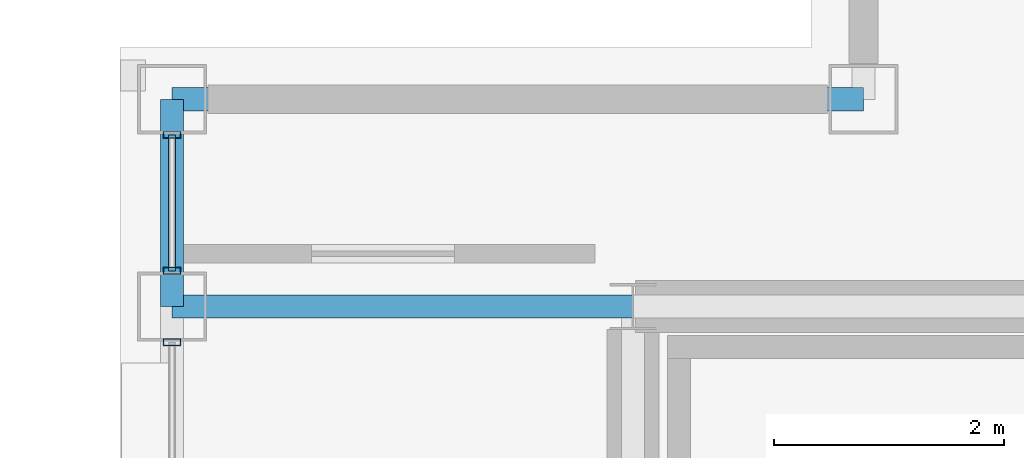
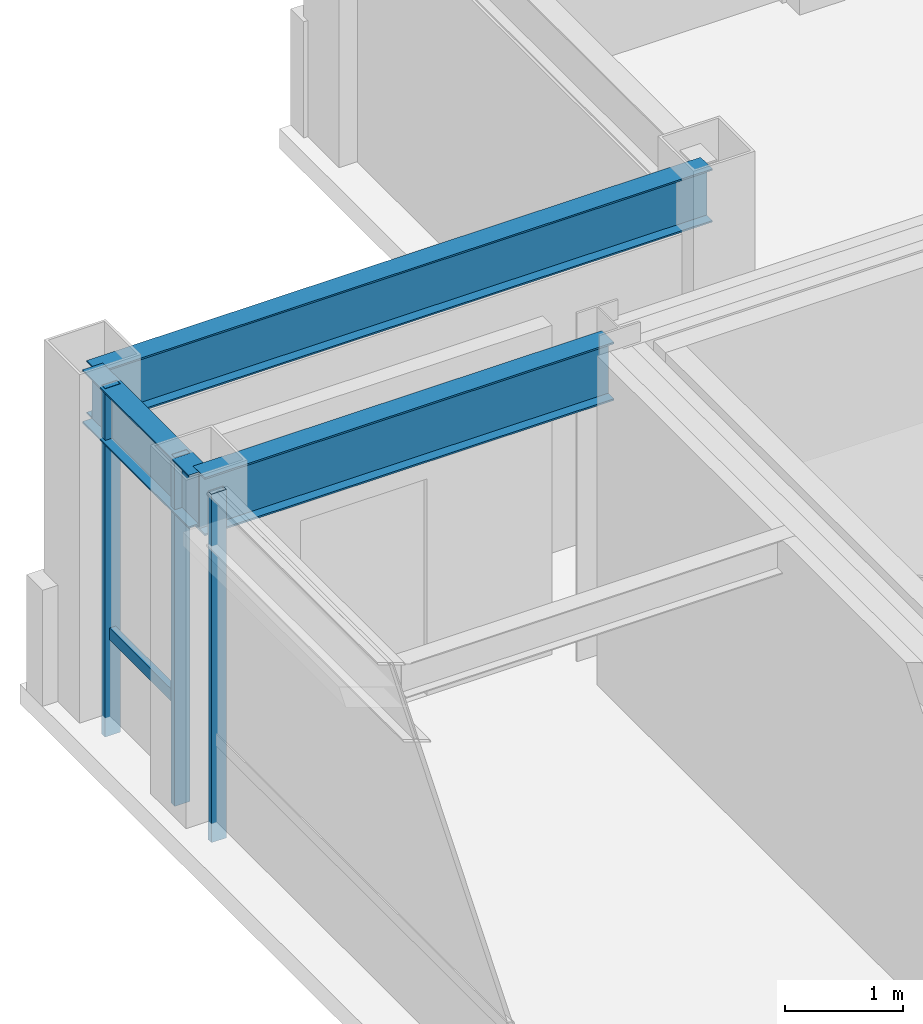
# One storey, part 11 of 24: 4 members, 3 beams, 2 elements without a shape of their own.
"""IFC4 building model written with IfcOpenShell, lengths in metres."""

import ifcopenshell
import ifcopenshell.guid

model = None  # the IFC model being written
_history = None  # IfcOwnerHistory: only IFC2X3 demands one
_inside = {}  # id of a spatial element -> (the spatial element, [elements in it])
_under = {}  # id of a project, library or spatial element -> (it, [spatial elements below it])
_declared = {}  # id of a project -> (the project, [libraries it declares])
_typed = {}  # id of a type object -> (the type object, [elements of that type])
_made_of = {}  # id of a material, layer set ... -> (it, [elements and type objects made of it])


def new_model(schema):
    """Start an empty IFC model of exactly this schema.

    Asked for "IFC4X3", IfcOpenShell would pick the latest addendum, in which some entities
    have other attributes; the version numbers below select the first issue.
    IFC2X3 requires an IfcOwnerHistory on every rooted entity: one is made here for all.
    """
    global model, _history
    if schema == "IFC4X3":
        model = ifcopenshell.file(schema_version=(4, 3, 0, 0))
    else:
        model = ifcopenshell.file(schema=schema)
    _inside.clear()
    _under.clear()
    _declared.clear()
    _typed.clear()
    _made_of.clear()
    _history = None
    if model.schema == "IFC2X3":
        org = make("IfcOrganization", Name="unknown")
        user = make(
            "IfcPersonAndOrganization",
            ThePerson=make("IfcPerson", FamilyName="unknown"),
            TheOrganization=org,
        )
        app = make(
            "IfcApplication",
            ApplicationDeveloper=org,
            Version="unknown",
            ApplicationFullName="unknown",
            ApplicationIdentifier="unknown",
        )
        _history = make(
            "IfcOwnerHistory",
            OwningUser=user,
            OwningApplication=app,
            ChangeAction="ADDED",
            CreationDate=0,
        )
    return model


def make(cls, **values):
    """One entity of the class cls with the attributes given. An attribute that is None is left unset."""
    return model.create_entity(
        cls, **{name: value for name, value in values.items() if value is not None}
    )


def rooted(cls, **values):
    """An entity with a GlobalId (a new one), such as an element, a storey or a relation."""
    return make(cls, GlobalId=ifcopenshell.guid.new(), OwnerHistory=_history, **values)


def si_unit(unit_type, name, prefix=None):
    """IfcSIUnit, for example si_unit("LENGTHUNIT", "METRE", prefix="MILLI")."""
    return make("IfcSIUnit", UnitType=unit_type, Prefix=prefix, Name=name)


def assignment(units):
    """IfcUnitAssignment: the units of a project."""
    return None if units is None else make("IfcUnitAssignment", Units=units)


def point(xyz):
    """IfcCartesianPoint."""
    return None if xyz is None else make("IfcCartesianPoint", Coordinates=xyz)


def direction(xyz):
    """IfcDirection."""
    return None if xyz is None else make("IfcDirection", DirectionRatios=xyz)


def frame(location, z_axis=None, x_axis=None):
    """IfcAxis2Placement3D, a coordinate frame: its origin and axes. An axis left out is left unset."""
    return make(
        "IfcAxis2Placement3D",
        Location=point(location),
        Axis=direction(z_axis),
        RefDirection=direction(x_axis),
    )


def frame_2d(location, x_axis=None):
    """IfcAxis2Placement2D, a coordinate frame in the plane: its origin and x axis."""
    return make(
        "IfcAxis2Placement2D", Location=point(location), RefDirection=direction(x_axis)
    )


def origin():
    """The frame at (0, 0, 0) with its axes left unset."""
    return frame((0.0, 0.0, 0.0))


def origin_2d():
    """The frame at (0, 0) in the plane with its x axis left unset."""
    return frame_2d((0.0, 0.0))


def place(relative_to, where):
    """IfcLocalPlacement: puts the frame where relative to a parent placement (None: the world)."""
    return make(
        "IfcLocalPlacement", PlacementRelTo=relative_to, RelativePlacement=where
    )


def context(
    kind, dimensions, precision=None, world=None, true_north=None, identifier=None
):
    """IfcGeometricRepresentationContext, for example the 3D "Model" context."""
    return make(
        "IfcGeometricRepresentationContext",
        ContextIdentifier=identifier,
        ContextType=kind,
        CoordinateSpaceDimension=dimensions,
        Precision=precision,
        WorldCoordinateSystem=world,
        TrueNorth=true_north,
    )


def subcontext(parent, identifier, kind, view, scale=None):
    """IfcGeometricRepresentationSubContext, for example "Body" below "Model"."""
    return make(
        "IfcGeometricRepresentationSubContext",
        ContextIdentifier=identifier,
        ContextType=kind,
        ParentContext=parent,
        TargetScale=scale,
        TargetView=view,
    )


def project(units=None, contexts=None):
    """IfcProject with its units and contexts."""
    return rooted(
        "IfcProject",
        Name="project",
        RepresentationContexts=contexts,
        UnitsInContext=assignment(units),
    )


def spatial(cls, under=None, at=None, **own):
    """A site, building, storey or space (cls), placed at a placement, below another one or the project."""
    s = rooted(cls, ObjectPlacement=at, **own)
    if under is not None:
        _under.setdefault(under.id(), (under, []))[1].append(s)
    return s


def profile(cls, at=None, kind="AREA", **sizes):
    """A parametric profile (cls). Its sizes go by their IFC names, for example OverallWidth=200.0."""
    return make(cls, ProfileType=kind, Position=at, **sizes)


def hollow_rectangle(**sizes):
    """IfcRectangleHollowProfileDef."""
    return profile("IfcRectangleHollowProfileDef", **sizes)


def i_section(**sizes):
    """IfcIShapeProfileDef."""
    return profile("IfcIShapeProfileDef", **sizes)


def extrude(swept, where, along, depth):
    """IfcExtrudedAreaSolid: the profile swept, set in the frame where, extruded along a direction by depth."""
    return make(
        "IfcExtrudedAreaSolid",
        SweptArea=swept,
        Position=where,
        ExtrudedDirection=direction(along),
        Depth=depth,
    )


def shape(context_of_items, identifier, shape_type, items):
    """IfcShapeRepresentation: the items that make up one representation, for example the "Body"."""
    return make(
        "IfcShapeRepresentation",
        ContextOfItems=context_of_items,
        RepresentationIdentifier=identifier,
        RepresentationType=shape_type,
        Items=items,
    )


def material(Name=None, Category=None):
    """IfcMaterial."""
    return make("IfcMaterial", Name=Name, Category=Category)


def layer(
    of_material, thickness, ventilated=None, Name=None, Category=None, Priority=None
):
    """IfcMaterialLayer: one layer of a wall or slab, of a material (None: an air gap)."""
    return make(
        "IfcMaterialLayer",
        Material=of_material,
        LayerThickness=thickness,
        IsVentilated=ventilated,
        Name=Name,
        Category=Category,
        Priority=Priority,
    )


def layer_set(layers, Name=None):
    """IfcMaterialLayerSet."""
    return make("IfcMaterialLayerSet", MaterialLayers=layers, LayerSetName=Name)


def material_profile(
    of_material, cross_section, Name=None, Category=None, Priority=None
):
    """IfcMaterialProfile: a cross section and its material."""
    return make(
        "IfcMaterialProfile",
        Name=Name,
        Material=of_material,
        Profile=cross_section,
        Priority=Priority,
        Category=Category,
    )


def profile_set(profiles, Name=None, composite=None):
    """IfcMaterialProfileSet."""
    return make(
        "IfcMaterialProfileSet",
        Name=Name,
        MaterialProfiles=profiles,
        CompositeProfile=composite,
    )


def made_of(thing, what):
    """Note that an element or type object is made of a material, layer set ...; save() writes the relation."""
    if what is not None:
        _made_of.setdefault(what.id(), (what, []))[1].append(thing)
    return thing


def type_object(cls, material=None, **own):
    """A type object (cls), such as IfcWallType, which elements share."""
    return made_of(rooted(cls, **own), material)


def element(
    cls,
    number,
    at=None,
    inside=None,
    cuts=None,
    type_object=None,
    material=None,
    context=None,
    identifier="Body",
    shape_type=None,
    held_by="IfcProductDefinitionShape",
    body=None,
    shapes=None,
    **own,
):
    """One element of the class cls, such as IfcWall. Its Tag is "e" and its number.

    at: its placement. inside: the storey or other place that contains it. cuts: it is an
    opening in that element (IfcRelVoidsElement). A single representation is given by context,
    identifier, shape_type and body (its items); several are given by shapes. held_by: the class
    of the entity that holds the representations. save() writes the other relations.
    """
    e = rooted(cls, Tag="e%d" % number, ObjectPlacement=at, **own)
    if body is not None:
        shapes = [shape(context, identifier, shape_type, body)]
    if shapes is not None:
        e.Representation = make(held_by, Representations=shapes)
    if inside is not None:
        _inside.setdefault(inside.id(), (inside, []))[1].append(e)
    if cuts is not None:
        rooted(
            "IfcRelVoidsElement", RelatingBuildingElement=cuts, RelatedOpeningElement=e
        )
    if type_object is not None:
        _typed.setdefault(type_object.id(), (type_object, []))[1].append(e)
    return made_of(e, material)


def aggregate(whole, parts):
    """IfcRelAggregates: a whole, such as a stair, and the parts it consists of."""
    return rooted("IfcRelAggregates", RelatingObject=whole, RelatedObjects=parts)


def save(model, path):
    """Write the relations noted so far, then the file.

    IfcRelAggregates (storeys below a building ...), IfcRelContainedInSpatialStructure (elements
    in a storey), IfcRelDefinesByType, IfcRelAssociatesMaterial and IfcRelDeclares: one each for
    every whole, place, type object, material and project.
    """
    for whole, parts in _under.values():
        aggregate(whole, parts)
    for where, things in _inside.values():
        rooted(
            "IfcRelContainedInSpatialStructure",
            RelatedElements=things,
            RelatingStructure=where,
        )
    for kind, things in _typed.values():
        rooted("IfcRelDefinesByType", RelatedObjects=things, RelatingType=kind)
    for what, things in _made_of.values():
        rooted("IfcRelAssociatesMaterial", RelatedObjects=things, RelatingMaterial=what)
    for by, libraries in _declared.values():
        rooted("IfcRelDeclares", RelatingContext=by, RelatedDefinitions=libraries)
    model.write(path)


model = new_model("IFC4")

# Units and contexts
model_context = context("Model", 3, precision=1e-05, world=origin(), true_north=direction((0.0, 1.0)))
body_context = subcontext(model_context, "Body", "Model", "MODEL_VIEW")
ifc_project = project(units=[si_unit("LENGTHUNIT", "METRE"), si_unit("AREAUNIT", "SQUARE_METRE"), si_unit("VOLUMEUNIT", "CUBIC_METRE"), si_unit("PLANEANGLEUNIT", "RADIAN"), si_unit("MASSUNIT", "GRAM", prefix="KILO")], contexts=[model_context])

# Site, building, storey
site_placement = place(None, origin())
site = spatial("IfcSite", under=ifc_project, at=site_placement, CompositionType="ELEMENT")
building_placement = place(site_placement, origin())
building = spatial("IfcBuilding", under=site, at=building_placement, Name="Brelmoor Portico Tower", CompositionType="ELEMENT")
storey_placement = place(building_placement, frame((0.0, 0.0, 254.39990234375)))
storey = spatial("IfcBuildingStorey", under=building, at=storey_placement, Name="L67", CompositionType="ELEMENT", Elevation=254.39990234375)

# Beams
ifc_material_1 = material(Name="Steel Q355B", Category="steel")
ifc_material_profile_1 = material_profile(ifc_material_1, i_section(OverallWidth=0.199951171875, OverallDepth=0.60009765625, WebThickness=0.010986328125, FlangeThickness=0.01708984375, at=origin_2d()), Name="HN 600x200x11x17")
ifc_profile_set_1 = profile_set([ifc_material_profile_1], Name="Steel Q355B")
beam_type_1 = type_object("IfcBeamType", Name="BM-PG-600", PredefinedType="BEAM", material=ifc_profile_set_1)
beam_1_placement = place(storey_placement, frame((-18.550048828125, 9.75, 3.10009765625), z_axis=(1.0, 0.0, 0.0), x_axis=(0.0, 1.0, 0.0)))
element("IfcBeam", 1, at=beam_1_placement, inside=storey, type_object=beam_type_1, Name="L67 Primary Floor Girder PG-19", PredefinedType="BEAM", context=body_context, shape_type="SweptSolid", body=[
    extrude(i_section(OverallWidth=0.199951171875, OverallDepth=0.60009765625, WebThickness=0.010986328125, FlangeThickness=0.01708984375, at=origin_2d()), origin(), (0.0, 0.0, 1.0), 4.0),
])
ifc_material_profile_2 = material_profile(ifc_material_1, i_section(OverallWidth=0.199951171875, OverallDepth=0.550048828125, WebThickness=0.010009765625, FlangeThickness=0.01611328125, at=origin_2d()), Name="HN 550x200x10x16")
ifc_profile_set_2 = profile_set([ifc_material_profile_2], Name="Steel Q355B")
beam_type_2 = type_object("IfcBeamType", Name="BM-SP-550", PredefinedType="SPANDREL", material=ifc_profile_set_2)
beam_2_placement = place(storey_placement, frame((-18.550048828125, 11.550048828125, 3.125), z_axis=(1.0, 0.0, 0.0), x_axis=(0.0, 1.0, 0.0)))
element("IfcBeam", 2, at=beam_2_placement, inside=storey, type_object=beam_type_2, Name="L67 Perimeter Spandrel Beam SP-06", PredefinedType="SPANDREL", context=body_context, shape_type="SweptSolid", body=[
    extrude(i_section(OverallWidth=0.199951171875, OverallDepth=0.550048828125, WebThickness=0.010009765625, FlangeThickness=0.01611328125, at=origin_2d()), origin(), (0.0, 0.0, 1.0), 6.0),
])
beam_3_placement = place(storey_placement, frame((-18.550048828125, 9.75, 3.125), z_axis=(0.0, 1.0, 0.0), x_axis=(-1.0, 0.0, 0.0)))
element("IfcBeam", 3, at=beam_3_placement, inside=storey, type_object=beam_type_2, Name="L67 Perimeter Spandrel Beam SP-13", PredefinedType="SPANDREL", context=body_context, shape_type="SweptSolid", body=[
    extrude(i_section(OverallWidth=0.199951171875, OverallDepth=0.550048828125, WebThickness=0.010009765625, FlangeThickness=0.01611328125, at=origin_2d()), origin(), (0.0, 0.0, 1.0), 1.800048828125),
])

# Curtain wall, member
ifc_material_2 = material(Name="Anodised Aluminium Alloy 6063-T6", Category="aluminium")
ifc_layer = layer(ifc_material_2, 0.179931640625)
ifc_layer_set = layer_set([ifc_layer], Name="Anodised Aluminium Alloy 6063-T6")
curtain_wall_type = type_object("IfcCurtainWallType", Name="CW-TOWER-Z4", PredefinedType="NOTDEFINED", material=ifc_layer_set)
curtain_wall_1_placement = place(storey_placement, origin())
curtain_wall_1 = element("IfcCurtainWall", 4, at=curtain_wall_1_placement, inside=storey, type_object=curtain_wall_type, Name="L67 Curtain Wall CW-L67-3R-1", PredefinedType="NOTDEFINED")
ifc_material_profile_3 = material_profile(ifc_material_2, hollow_rectangle(XDim=0.06005859375, YDim=0.14990234375, WallThickness=0.00390625, at=origin_2d()), Name="ALU MULLION 60x150")
ifc_profile_set_3 = profile_set([ifc_material_profile_3], Name="Anodised Aluminium Alloy 6063-T6")
member_type_1 = type_object("IfcMemberType", Name="MB-CW-MULL-150", PredefinedType="MULLION", material=ifc_profile_set_3)
member_1_placement = place(storey_placement, frame((-18.550048828125, 9.43994140625, -0.199951171875), z_axis=(0.0, 0.0, 1.0), x_axis=(0.0, 1.0, 0.0)))
member_1 = element("IfcMember", 5, at=member_1_placement, type_object=member_type_1, Name="CW-L67-3R-1 Mullion 01", PredefinedType="MULLION", context=body_context, shape_type="SweptSolid", body=[
    extrude(hollow_rectangle(XDim=0.06005859375, YDim=0.14990234375, WallThickness=0.00390625, at=origin_2d()), origin(), (0.0, 0.0, 1.0), 3.60009765625),
])
aggregate(curtain_wall_1, [member_1])

# Curtain wall, members
curtain_wall_2_placement = place(storey_placement, origin())
curtain_wall_2 = element("IfcCurtainWall", 6, at=curtain_wall_2_placement, inside=storey, type_object=curtain_wall_type, Name="L67 Curtain Wall CW-L67-3R-2", PredefinedType="NOTDEFINED")
member_2_placement = place(storey_placement, frame((-18.550048828125, 10.06005859375, -0.199951171875), z_axis=(0.0, 0.0, 1.0), x_axis=(0.0, 1.0, 0.0)))
member_2 = element("IfcMember", 7, at=member_2_placement, type_object=member_type_1, Name="CW-L67-3R-2 Mullion 00", PredefinedType="MULLION", context=body_context, shape_type="SweptSolid", body=[
    extrude(hollow_rectangle(XDim=0.06005859375, YDim=0.14990234375, WallThickness=0.00390625, at=origin_2d()), origin(), (0.0, 0.0, 1.0), 3.60009765625),
])
member_3_placement = place(storey_placement, frame((-18.550048828125, 11.239990234375, -0.199951171875), z_axis=(0.0, 0.0, 1.0), x_axis=(0.0, 1.0, 0.0)))
member_3 = element("IfcMember", 8, at=member_3_placement, type_object=member_type_1, Name="CW-L67-3R-2 Mullion 01", PredefinedType="MULLION", context=body_context, shape_type="SweptSolid", body=[
    extrude(hollow_rectangle(XDim=0.06005859375, YDim=0.14990234375, WallThickness=0.00390625, at=origin_2d()), origin(), (0.0, 0.0, 1.0), 3.60009765625),
])
ifc_material_profile_4 = material_profile(ifc_material_2, hollow_rectangle(XDim=0.06005859375, YDim=0.125, WallThickness=0.00341796875, at=origin_2d()), Name="ALU TRANSOM 60x125")
ifc_profile_set_4 = profile_set([ifc_material_profile_4], Name="Anodised Aluminium Alloy 6063-T6")
member_type_2 = type_object("IfcMemberType", Name="MB-CW-TRAN-125", PredefinedType="USERDEFINED", material=ifc_profile_set_4)
member_4_placement = place(storey_placement, frame((-18.550048828125, 10.06005859375, 0.85009765625), z_axis=(0.0, 1.0, 0.0), x_axis=(-1.0, 0.0, 0.0)))
member_4 = element("IfcMember", 9, at=member_4_placement, type_object=member_type_2, Name="CW-L67-3R-2 Transom 1-00", ObjectType="TRANSOM", PredefinedType="USERDEFINED", context=body_context, shape_type="SweptSolid", body=[
    extrude(hollow_rectangle(XDim=0.06005859375, YDim=0.125, WallThickness=0.00341796875, at=origin_2d()), origin(), (0.0, 0.0, 1.0), 1.179931640625),
])
aggregate(curtain_wall_2, [member_2, member_3, member_4])

save(model, "model.ifc")
